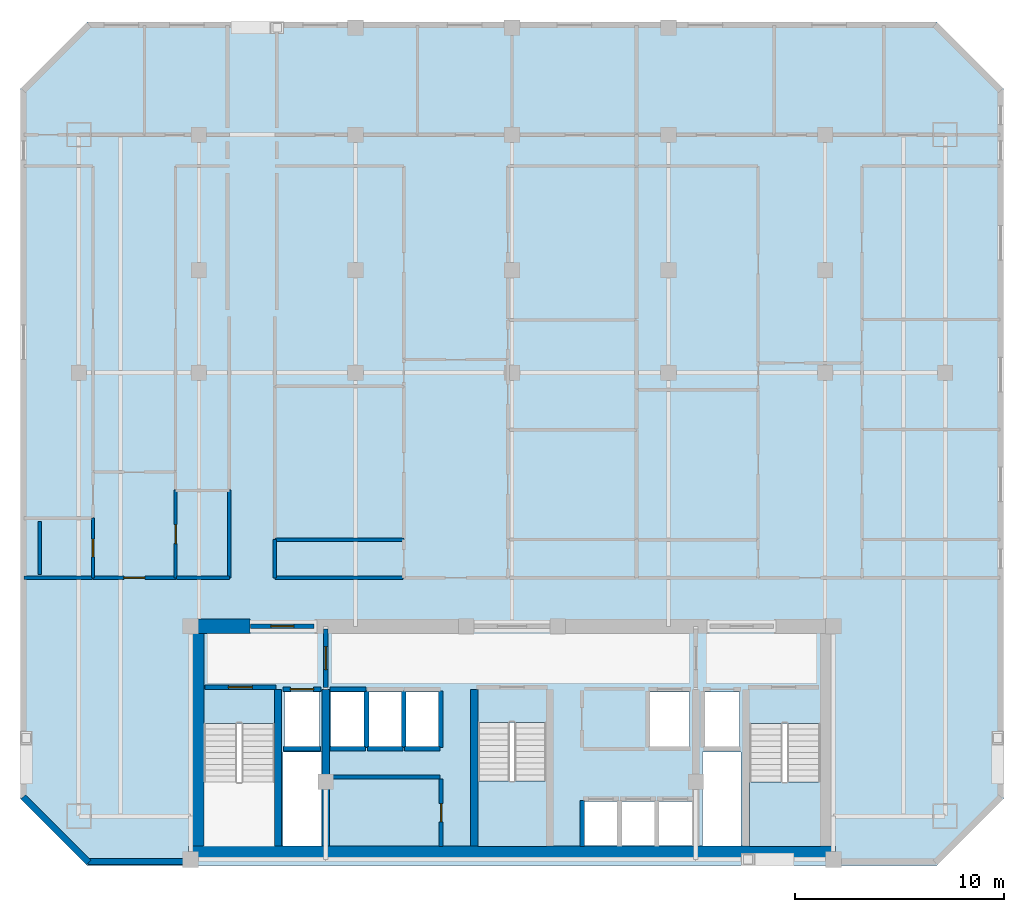
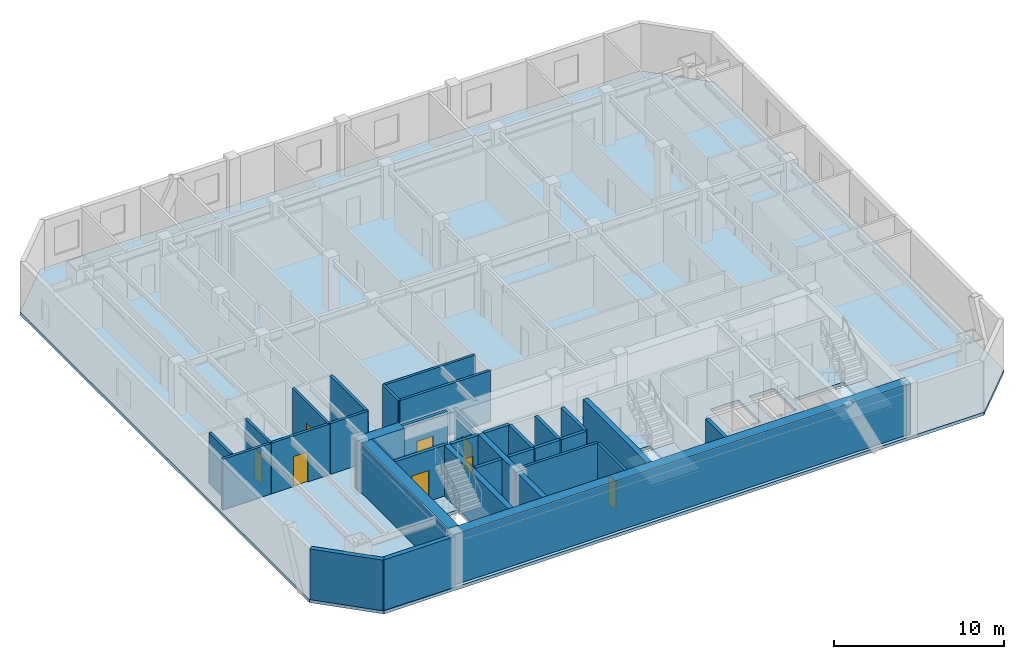
# One storey, part 2 of 8: 33 walls, 8 doors, 3 slabs, 8 openings, 2 elements without a shape of their own.
"""IFC4 building model written with IfcOpenShell, lengths in metres."""

from ifc_helpers import new_model, si_unit, direction, frame, frame_2d, origin, place, context, subcontext, project, spatial, polyline, rectangle, outline, extrude, material, layer, layer_set, type_object, element, fill, aggregate, save


model = new_model("IFC4")

# Units and contexts
model_context = context("Model", 3, precision=1e-05, world=origin(), true_north=direction((0.0, 1.0)))
body_context = subcontext(model_context, "Body", "Model", "MODEL_VIEW")
ifc_project = project(units=[si_unit("LENGTHUNIT", "METRE"), si_unit("AREAUNIT", "SQUARE_METRE"), si_unit("VOLUMEUNIT", "CUBIC_METRE"), si_unit("PLANEANGLEUNIT", "RADIAN"), si_unit("MASSUNIT", "GRAM", prefix="KILO")], contexts=[model_context])

# Site, building, storey
site_placement = place(None, origin())
site = spatial("IfcSite", under=ifc_project, at=site_placement, CompositionType="ELEMENT")
building_placement = place(site_placement, origin())
building = spatial("IfcBuilding", under=site, at=building_placement, Name="Ventersveld Concourse Tower", CompositionType="ELEMENT")
storey_placement = place(building_placement, frame((0.0, 0.0, 160.60009765625)))
storey = spatial("IfcBuildingStorey", under=building, at=storey_placement, Name="L39", CompositionType="ELEMENT", Elevation=160.60009765625)

# Slab
ifc_material_1 = material(Name="Concrete C50/60", Category="concrete")
ifc_layer_1 = layer(ifc_material_1, 0.219970703125)
ifc_layer_set_1 = layer_set([ifc_layer_1], Name="Concrete C50/60")
slab_type_1 = type_object("IfcSlabType", Name="SL-FLR-220", PredefinedType="FLOOR", material=ifc_layer_set_1)
slab_1_placement = place(storey_placement, frame((0.0, 0.0, -0.22021484375)))
element("IfcSlab", 1, at=slab_1_placement, inside=storey, type_object=slab_type_1, Name="L39 Composite Floor Slab", PredefinedType="FLOOR", context=body_context, shape_type="SweptSolid", body=[
    extrude(outline(polyline([(8.39990234375, 0.0), (49.10009765625, 0.0), (52.300048828125, 3.199951171875), (52.300048828125, 37.199951171875), (49.10009765625, 40.39990234375), (8.39990234375, 40.39990234375), (5.199951171875, 37.199951171875), (5.199951171875, 3.199951171875), (8.39990234375, 0.0)]), holes=[polyline([(13.97998046875, 6.794921875), (13.97998046875, 0.89990234375), (17.3798828125, 0.89990234375), (17.3798828125, 6.794921875), (13.97998046875, 6.794921875)]), polyline([(40.1201171875, 6.794921875), (40.1201171875, 0.89990234375), (43.52001953125, 0.89990234375), (43.52001953125, 6.794921875), (40.1201171875, 6.794921875)]), polyline([(27.10009765625, 6.844970703125), (27.10009765625, 0.89990234375), (30.39990234375, 0.89990234375), (30.39990234375, 6.844970703125), (27.10009765625, 6.844970703125)]), polyline([(17.85009765625, 5.699951171875), (19.530029296875, 5.699951171875), (19.530029296875, 8.300048828125), (17.85009765625, 8.300048828125), (17.85009765625, 5.699951171875)]), polyline([(37.969970703125, 5.699951171875), (39.64990234375, 5.699951171875), (39.64990234375, 8.300048828125), (37.969970703125, 8.300048828125), (37.969970703125, 5.699951171875)]), polyline([(35.35009765625, 5.699951171875), (37.25, 5.699951171875), (37.25, 8.300048828125), (35.35009765625, 8.300048828125), (35.35009765625, 5.699951171875)]), polyline([(32.2099609375, 0.949951171875), (33.81005859375, 0.949951171875), (33.81005859375, 3.050048828125), (32.2099609375, 3.050048828125), (32.2099609375, 0.949951171875)]), polyline([(33.989990234375, 0.949951171875), (35.590087890625, 0.949951171875), (35.590087890625, 3.050048828125), (33.989990234375, 3.050048828125), (33.989990234375, 0.949951171875)]), polyline([(35.77001953125, 0.949951171875), (37.3701171875, 0.949951171875), (37.3701171875, 3.050048828125), (35.77001953125, 3.050048828125), (35.77001953125, 0.949951171875)]), polyline([(20.090087890625, 5.699951171875), (21.68994140625, 5.699951171875), (21.68994140625, 8.300048828125), (20.090087890625, 8.300048828125), (20.090087890625, 5.699951171875)]), polyline([(21.8701171875, 5.699951171875), (23.469970703125, 5.699951171875), (23.469970703125, 8.300048828125), (21.8701171875, 8.300048828125), (21.8701171875, 5.699951171875)]), polyline([(23.64990234375, 5.699951171875), (25.25, 5.699951171875), (25.25, 8.300048828125), (23.64990234375, 8.300048828125), (23.64990234375, 5.699951171875)]), polyline([(17.780029296875, 0.919921875), (19.6201171875, 0.919921875), (19.6201171875, 5.419921875), (17.780029296875, 5.419921875), (17.780029296875, 0.919921875)]), polyline([(37.8798828125, 0.919921875), (39.719970703125, 0.919921875), (39.719970703125, 5.419921875), (37.8798828125, 5.419921875), (37.8798828125, 0.919921875)])]), origin(), (0.0, 0.0, 1.0), 0.22021484375),
])

# Stair, slab
stair_type_1 = type_object("IfcStairType", Name="ST-DOG-160", PredefinedType="HALF_TURN_STAIR", material=ifc_material_1)
stair_1_placement = place(storey_placement, origin())
stair_1 = element("IfcStair", 2, at=stair_1_placement, inside=storey, type_object=stair_type_1, Name="L39 Protected Tower Escape Stair ST-02", PredefinedType="HALF_TURN_STAIR")
ifc_layer_2 = layer(ifc_material_1, 0.199951171875)
ifc_layer_set_2 = layer_set([ifc_layer_2], Name="Concrete C50/60")
slab_type_2 = type_object("IfcSlabType", Name="SL-LND-200", PredefinedType="LANDING", material=ifc_layer_set_2)
slab_2_placement = place(storey_placement, frame((0.0, 0.0, 1.724853515625)))
slab_2 = element("IfcSlab", 3, at=slab_2_placement, type_object=slab_type_2, Name="ST-02 landing 1", PredefinedType="LANDING", context=body_context, shape_type="SweptSolid", body=[
    extrude(outline(polyline([(40.1201171875, 4.0), (40.1201171875, 0.89990234375), (43.52001953125, 0.89990234375), (43.52001953125, 4.0), (40.1201171875, 4.0)])), origin(), (0.0, 0.0, 1.0), 0.199951171875),
])
aggregate(stair_1, [slab_2])

stair_type_2 = type_object("IfcStairType", Name="ST-DOG-155", PredefinedType="HALF_TURN_STAIR", material=ifc_material_1)
stair_2_placement = place(storey_placement, origin())
stair_2 = element("IfcStair", 4, at=stair_2_placement, inside=storey, type_object=stair_type_2, Name="L39 Protected Central Core Escape Stair ST-03", PredefinedType="HALF_TURN_STAIR")
slab_3_placement = place(storey_placement, frame((0.0, 0.0, 1.724853515625)))
slab_3 = element("IfcSlab", 5, at=slab_3_placement, type_object=slab_type_2, Name="ST-03 landing 1", PredefinedType="LANDING", context=body_context, shape_type="SweptSolid", body=[
    extrude(outline(polyline([(27.10009765625, 4.050048828125), (27.10009765625, 0.89990234375), (30.39990234375, 0.89990234375), (30.39990234375, 4.050048828125), (27.10009765625, 4.050048828125)])), origin(), (0.0, 0.0, 1.0), 0.199951171875),
])
aggregate(stair_2, [slab_3])

# Walls
ifc_material_2 = material(Name="Concrete C60/75", Category="concrete")
ifc_layer_3 = layer(ifc_material_2, 0.35009765625)
ifc_layer_set_3 = layer_set([ifc_layer_3], Name="Concrete C60/75")
wall_type_1 = type_object("IfcWallType", Name="WL-CORE-350L", PredefinedType="SHEAR", material=ifc_layer_set_3)
for number, where, z_axis, x_axis, name in (
    (6, (17.5400390625, 0.919921875, 0.0), (0.0, 0.0, 1.0), (0.0, 1.0, 0.0), "L39 Core Internal Shear Web W-ST1-E"),
    (7, (19.820068359375, 0.919921875, 0.0), (0.0, 0.0, 1.0), (0.0, 1.0, 0.0), "L39 Core Internal Shear Web W-FF1-E"),
    (8, (26.93994140625, 0.919921875, 0.0), (0.0, 0.0, 1.0), (0.0, 1.0, 0.0), "L39 Core Internal Shear Web W-ST3-W"),
):
    element("IfcWall", number, at=place(storey_placement, frame(where, z_axis=z_axis, x_axis=x_axis)), inside=storey, type_object=wall_type_1, Name=name, PredefinedType="SHEAR", context=body_context, shape_type="SweptSolid", body=[
        extrude(rectangle(XDim=7.5, YDim=0.35009765625, at=frame_2d((3.75, 0.0))), origin(), (0.0, 0.0, 1.0), 3.6298828125),
    ])
ifc_layer_4 = layer(ifc_material_2, 0.699951171875)
ifc_layer_set_4 = layer_set([ifc_layer_4], Name="Concrete C60/75")
wall_type_2 = type_object("IfcWallType", Name="WL-CORE-700", PredefinedType="SHEAR", material=ifc_layer_set_4)
wall_1_placement = place(storey_placement, frame((13.25, 0.570068359375, 0.0), z_axis=(0.0, 0.0, 1.0), x_axis=(1.0, 0.0, 0.0)))
element("IfcWall", 9, at=wall_1_placement, inside=storey, type_object=wall_type_2, Name="L39 Rear Core South Shear Wall", PredefinedType="SHEAR", context=body_context, shape_type="SweptSolid", body=[
    extrude(rectangle(XDim=31.0, YDim=0.699951171875, at=frame_2d((15.5, 0.0))), origin(), (0.0, 0.0, 1.0), 3.6298828125),
])
wall_2_placement = place(storey_placement, frame((13.64990234375, 0.919921875, 0.0), z_axis=(0.0, 0.0, 1.0), x_axis=(0.0, 1.0, 0.0)))
element("IfcWall", 10, at=wall_2_placement, inside=storey, type_object=wall_type_2, Name="L39 Rear Core West Shear Wall", PredefinedType="SHEAR", context=body_context, shape_type="SweptSolid", body=[
    extrude(rectangle(XDim=10.530029296875, YDim=0.699951171875, at=frame_2d((5.26513671875, 0.0))), origin(), (0.0, 0.0, 1.0), 3.6298828125),
])
wall_3_placement = place(storey_placement, frame((13.25, 11.449951171875, 0.0), z_axis=(0.0, 0.0, 1.0), x_axis=(1.0, 0.0, 0.0)))
element("IfcWall", 11, at=wall_3_placement, inside=storey, type_object=wall_type_2, Name="L39 Rear Core North Shear Wall NW", PredefinedType="SHEAR", context=body_context, shape_type="SweptSolid", body=[
    extrude(rectangle(XDim=2.949951171875, YDim=0.699951171875, at=frame_2d((1.47509765625, 0.0))), origin(), (0.0, 0.0, 1.0), 3.6298828125),
])

# Wall, opening, door
ifc_material_3 = material(Name="Fire-rated autoclaved aerated masonry blockwork", Category="masonry")
ifc_layer_5 = layer(ifc_material_3, 0.179931640625)
ifc_layer_set_5 = layer_set([ifc_layer_5], Name="Fire-rated autoclaved aerated masonry blockwork")
wall_type_3 = type_object("IfcWallType", Name="WL-CORR-180", PredefinedType="PARTITIONING", material=ifc_layer_set_5)
wall_4_placement = place(storey_placement, frame((25.35009765625, 0.89990234375, 0.0), z_axis=(0.0, 0.0, 1.0), x_axis=(0.0, 1.0, 0.0)))
wall_4 = element("IfcWall", 12, at=wall_4_placement, inside=storey, type_object=wall_type_3, Name="L39 Core Passage Wall SP-L39-RECB1A", PredefinedType="PARTITIONING", context=body_context, shape_type="SweptSolid", body=[
    extrude(rectangle(XDim=3.239990234375, YDim=0.179931640625, at=frame_2d((1.6201171875, 0.0))), origin(), (0.0, 0.0, 1.0), 3.6298828125),
])
opening_1_placement = place(wall_4_placement, frame((1.179931640625, 0.0, 0.0)))
opening_1 = element("IfcOpeningElement", 13, at=opening_1_placement, cuts=wall_4, Name="Opening FD5", PredefinedType="OPENING", context=body_context, shape_type="SweptSolid", body=[
    extrude(rectangle(XDim=0.8798828125, YDim=2.050048828125, at=frame_2d((0.43994140625, 1.02490234375))), frame((0.0, 0.10009765625, 0.0), z_axis=(0.0, -1.0, 0.0), x_axis=(1.0, 0.0, 0.0)), (0.0, 0.0, 1.0), 0.199951171875),
])
ifc_material_4 = material(Name="Galvanised painted steel", Category="steel")
door_type_1 = type_object("IfcDoorType", Name="DR-RISER-088", OperationType="NOTDEFINED", PredefinedType="DOOR", material=ifc_material_4)
door_1_placement = place(opening_1_placement, origin())
door_1 = element("IfcDoor", 14, at=door_1_placement, inside=storey, type_object=door_type_1, Name="L39 Core Room Door L39 Reclaimed Core Quiet Study Pod (CD-L39-1905)", OperationType="SINGLE_SWING_RIGHT", OverallHeight=2.050048828125, OverallWidth=0.8798828125, PredefinedType="DOOR", context=body_context, shape_type="SweptSolid", body=[
    extrude(rectangle(XDim=0.8798828125, YDim=2.050048828125, at=frame_2d((0.43994140625, 1.02490234375))), frame((0.0, 0.02490234375, 0.0), z_axis=(0.0, -1.0, 0.0), x_axis=(1.0, 0.0, 0.0)), (0.0, 0.0, 1.0), 0.050048828125),
])
fill(opening_1, door_1)

# Wall
wall_5_placement = place(storey_placement, frame((19.97998046875, 4.22998046875, 0.0), z_axis=(0.0, 0.0, 1.0), x_axis=(1.0, 0.0, 0.0)))
element("IfcWall", 15, at=wall_5_placement, inside=storey, type_object=wall_type_3, Name="L39 Core Top Wall SP-L39-RECB1A", PredefinedType="PARTITIONING", context=body_context, shape_type="SweptSolid", body=[
    extrude(rectangle(XDim=5.320068359375, YDim=0.179931640625, at=frame_2d((2.66015625, 0.0))), origin(), (0.0, 0.0, 1.0), 3.6298828125),
])

# Wall, opening, door
wall_6_placement = place(storey_placement, frame((8.67236328125, 13.77001953125, 0.0), z_axis=(0.0, 0.0, 1.0), x_axis=(1.0, 0.0, 0.0)))
wall_6 = element("IfcWall", 16, at=wall_6_placement, inside=storey, type_object=wall_type_3, Name="L39 Interior Partition SP-L39-COR-SP-L39-39NW-FOY", PredefinedType="PARTITIONING", context=body_context, shape_type="SweptSolid", body=[
    extrude(rectangle(XDim=3.969970703125, YDim=0.179931640625, at=frame_2d((1.98486328125, 0.0))), origin(), (0.0, 0.0, 1.0), 3.6298828125),
])
opening_2_placement = place(wall_6_placement, frame((1.485107421875, 0.0, 0.0)))
opening_2 = element("IfcOpeningElement", 17, at=opening_2_placement, cuts=wall_6, Name="Opening FD3", PredefinedType="OPENING", context=body_context, shape_type="SweptSolid", body=[
    extrude(rectangle(XDim=1.0, YDim=2.14990234375, at=frame_2d((0.5, 1.074951171875))), frame((0.0, 0.10009765625, 0.0), z_axis=(0.0, -1.0, 0.0), x_axis=(1.0, 0.0, 0.0)), (0.0, 0.0, 1.0), 0.199951171875),
])
ifc_material_5 = material(Name="Solid-core hardwood veneer timber", Category="wood")
door_type_2 = type_object("IfcDoorType", Name="DR-FLAT-100", OperationType="NOTDEFINED", PredefinedType="DOOR", material=ifc_material_5)
door_2_placement = place(opening_2_placement, origin())
door_2 = element("IfcDoor", 18, at=door_2_placement, inside=storey, type_object=door_type_2, Name="L39 Interior Door SP-L39-COR to SP-L39-39NW-FOY (FD-L39-1907)", OperationType="SINGLE_SWING_LEFT", OverallHeight=2.14990234375, OverallWidth=1.0, PredefinedType="DOOR", context=body_context, shape_type="SweptSolid", body=[
    extrude(rectangle(XDim=1.0, YDim=2.14990234375, at=frame_2d((0.5, 1.074951171875))), frame((0.0, 0.02490234375, 0.0), z_axis=(0.0, -1.0, 0.0), x_axis=(1.0, 0.0, 0.0)), (0.0, 0.0, 1.0), 0.050048828125),
])
fill(opening_2, door_2)

# Walls
wall_7_placement = place(storey_placement, frame((5.37255859375, 13.77001953125, 0.0), z_axis=(0.0, 0.0, 1.0), x_axis=(1.0, 0.0, 0.0)))
element("IfcWall", 19, at=wall_7_placement, inside=storey, type_object=wall_type_3, Name="L39 Interior Partition SP-L39-COR-SP-L39-39NW-BATH", PredefinedType="PARTITIONING", context=body_context, shape_type="SweptSolid", body=[
    extrude(rectangle(XDim=3.269775390625, YDim=0.179931640625, at=frame_2d((1.634765625, 0.0))), origin(), (0.0, 0.0, 1.0), 3.6298828125),
])
wall_8_placement = place(storey_placement, frame((15.2099609375, 13.764892578125, 0.0), z_axis=(0.0, 0.0, 1.0), x_axis=(0.0, 1.0, 0.0)))
element("IfcWall", 20, at=wall_8_placement, inside=storey, type_object=wall_type_3, Name="L39 Interior Partition SP-L39-COR-SP-L39-39NW-KIT", PredefinedType="PARTITIONING", context=body_context, shape_type="SweptSolid", body=[
    extrude(rectangle(XDim=4.202392578125, YDim=0.179931640625, at=frame_2d((2.10107421875, 0.0))), origin(), (0.0, 0.0, 1.0), 3.6298828125),
])
wall_9_placement = place(storey_placement, frame((12.67236328125, 13.77001953125, 0.0), z_axis=(0.0, 0.0, 1.0), x_axis=(1.0, 0.0, 0.0)))
element("IfcWall", 21, at=wall_9_placement, inside=storey, type_object=wall_type_3, Name="L39 Interior Partition SP-L39-COR-SP-L39-39NW-KIT", PredefinedType="PARTITIONING", context=body_context, shape_type="SweptSolid", body=[
    extrude(rectangle(XDim=2.542724609375, YDim=0.179931640625, at=frame_2d((1.271484375, 0.0))), origin(), (0.0, 0.0, 1.0), 3.6298828125),
])
wall_10_placement = place(storey_placement, frame((17.385009765625, 13.77001953125, 0.0), z_axis=(0.0, 0.0, 1.0), x_axis=(1.0, 0.0, 0.0)))
element("IfcWall", 22, at=wall_10_placement, inside=storey, type_object=wall_type_3, Name="L39 Interior Partition SP-L39-COR-SP-L39-39N1-BATH", PredefinedType="PARTITIONING", context=body_context, shape_type="SweptSolid", body=[
    extrude(rectangle(XDim=6.14501953125, YDim=0.179931640625, at=frame_2d((3.072509765625, 0.0))), origin(), (0.0, 0.0, 1.0), 3.6298828125),
])
wall_11_placement = place(storey_placement, frame((17.389892578125, 13.764892578125, 0.0), z_axis=(0.0, 0.0, 1.0), x_axis=(0.0, 1.0, 0.0)))
element("IfcWall", 23, at=wall_11_placement, inside=storey, type_object=wall_type_3, Name="L39 Interior Partition SP-L39-COR-SP-L39-39N1-BATH", PredefinedType="PARTITIONING", context=body_context, shape_type="SweptSolid", body=[
    extrude(rectangle(XDim=1.840087890625, YDim=0.179931640625, at=frame_2d((0.919921875, 0.0))), origin(), (0.0, 0.0, 1.0), 3.6298828125),
])
ifc_layer_6 = layer(ifc_material_3, 0.219970703125)
ifc_layer_set_6 = layer_set([ifc_layer_6], Name="Fire-rated autoclaved aerated masonry blockwork")
wall_type_4 = type_object("IfcWallType", Name="WL-HOIST-220", PredefinedType="SOLIDWALL", material=ifc_layer_set_6)
wall_12_placement = place(storey_placement, frame((17.800048828125, 5.590087890625, 0.0), z_axis=(0.0, 0.0, 1.0), x_axis=(1.0, 0.0, 0.0)))
element("IfcWall", 24, at=wall_12_placement, inside=storey, type_object=wall_type_4, Name="L39 Lift Hoistway Back Wall FFL-01", PredefinedType="SOLIDWALL", context=body_context, shape_type="SweptSolid", body=[
    extrude(rectangle(XDim=1.780029296875, YDim=0.219970703125, at=frame_2d((0.89013671875, 0.0))), origin(), (0.0, 0.0, 1.0), 3.6298828125),
])

# Wall, opening, door
wall_13_placement = place(storey_placement, frame((17.780029296875, 8.429931640625, 0.0), z_axis=(0.0, 0.0, 1.0), x_axis=(1.0, 0.0, 0.0)))
wall_13 = element("IfcWall", 25, at=wall_13_placement, inside=storey, type_object=wall_type_4, Name="L39 Lift Hoistway Front Wall FFL-01", PredefinedType="SOLIDWALL", context=body_context, shape_type="SweptSolid", body=[
    extrude(rectangle(XDim=1.820068359375, YDim=0.219970703125, at=frame_2d((0.91015625, 0.0))), origin(), (0.0, 0.0, 1.0), 3.6298828125),
])
opening_3_placement = place(wall_13_placement, frame((0.35009765625, 0.0, 0.0)))
opening_3 = element("IfcOpeningElement", 26, at=opening_3_placement, cuts=wall_13, Name="Opening LD1", PredefinedType="OPENING", context=body_context, shape_type="SweptSolid", body=[
    extrude(rectangle(XDim=1.1201171875, YDim=2.25, at=frame_2d((0.56005859375, 1.125))), frame((0.0, 0.1201171875, 0.0), z_axis=(0.0, -1.0, 0.0), x_axis=(1.0, 0.0, 0.0)), (0.0, 0.0, 1.0), 0.239990234375),
])
ifc_material_6 = material(Name="Brushed stainless steel 316", Category="steel")
door_type_3 = type_object("IfcDoorType", Name="LD-FF-112", OperationType="SLIDING_TO_LEFT", PredefinedType="DOOR", material=ifc_material_6)
door_3_placement = place(opening_3_placement, origin())
door_3 = element("IfcDoor", 27, at=door_3_placement, inside=storey, type_object=door_type_3, Name="L39 Lift landing door FFL-01 (LD-L39-FFL-01)", OperationType="SLIDING_TO_LEFT", OverallHeight=2.25, OverallWidth=1.1201171875, PredefinedType="DOOR", context=body_context, shape_type="SweptSolid", body=[
    extrude(rectangle(XDim=1.1201171875, YDim=2.25, at=frame_2d((0.56005859375, 1.125))), frame((0.0, 0.02490234375, 0.0), z_axis=(0.0, -1.0, 0.0), x_axis=(1.0, 0.0, 0.0)), (0.0, 0.0, 1.0), 0.050048828125),
])
fill(opening_3, door_3)

# Walls
wall_14_placement = place(storey_placement, frame((32.1201171875, 0.89990234375, 0.0), z_axis=(0.0, 0.0, 1.0), x_axis=(0.0, 1.0, 0.0)))
element("IfcWall", 28, at=wall_14_placement, inside=storey, type_object=wall_type_4, Name="L39 Lift Hoistway Side Wall PM-01W", PredefinedType="SOLIDWALL", context=body_context, shape_type="SweptSolid", body=[
    extrude(rectangle(XDim=2.2001953125, YDim=0.219970703125, at=frame_2d((1.10009765625, 0.0))), origin(), (0.0, 0.0, 1.0), 3.6298828125),
])
wall_15_placement = place(storey_placement, frame((20.0400390625, 5.590087890625, 0.0), z_axis=(0.0, 0.0, 1.0), x_axis=(1.0, 0.0, 0.0)))
element("IfcWall", 29, at=wall_15_placement, inside=storey, type_object=wall_type_4, Name="L39 Lift Hoistway Back Wall PH-01", PredefinedType="SOLIDWALL", context=body_context, shape_type="SweptSolid", body=[
    extrude(rectangle(XDim=1.699951171875, YDim=0.219970703125, at=frame_2d((0.85009765625, 0.0))), origin(), (0.0, 0.0, 1.0), 3.6298828125),
])
wall_16_placement = place(storey_placement, frame((21.780029296875, 5.64990234375, 0.0), z_axis=(0.0, 0.0, 1.0), x_axis=(0.0, 1.0, 0.0)))
element("IfcWall", 30, at=wall_16_placement, inside=storey, type_object=wall_type_4, Name="L39 Lift Hoistway Side Wall PH-01E", PredefinedType="SOLIDWALL", context=body_context, shape_type="SweptSolid", body=[
    extrude(rectangle(XDim=2.7001953125, YDim=0.219970703125, at=frame_2d((1.35009765625, 0.0))), origin(), (0.0, 0.0, 1.0), 3.6298828125),
])
wall_17_placement = place(storey_placement, frame((20.02001953125, 8.429931640625, 0.0), z_axis=(0.0, 0.0, 1.0), x_axis=(1.0, 0.0, 0.0)))
element("IfcWall", 31, at=wall_17_placement, inside=storey, type_object=wall_type_4, Name="L39 Lift Hoistway Front Wall PH-01", PredefinedType="SOLIDWALL", context=body_context, shape_type="SweptSolid", body=[
    extrude(rectangle(XDim=1.739990234375, YDim=0.219970703125, at=frame_2d((0.8701171875, 0.0))), origin(), (0.0, 0.0, 1.0), 3.6298828125),
])
wall_18_placement = place(storey_placement, frame((21.820068359375, 5.590087890625, 0.0), z_axis=(0.0, 0.0, 1.0), x_axis=(1.0, 0.0, 0.0)))
element("IfcWall", 32, at=wall_18_placement, inside=storey, type_object=wall_type_4, Name="L39 Lift Hoistway Back Wall PH-02", PredefinedType="SOLIDWALL", context=body_context, shape_type="SweptSolid", body=[
    extrude(rectangle(XDim=1.699951171875, YDim=0.219970703125, at=frame_2d((0.85009765625, 0.0))), origin(), (0.0, 0.0, 1.0), 3.6298828125),
])
wall_19_placement = place(storey_placement, frame((23.56005859375, 5.64990234375, 0.0), z_axis=(0.0, 0.0, 1.0), x_axis=(0.0, 1.0, 0.0)))
element("IfcWall", 33, at=wall_19_placement, inside=storey, type_object=wall_type_4, Name="L39 Lift Hoistway Side Wall PH-02E", PredefinedType="SOLIDWALL", context=body_context, shape_type="SweptSolid", body=[
    extrude(rectangle(XDim=2.7001953125, YDim=0.219970703125, at=frame_2d((1.35009765625, 0.0))), origin(), (0.0, 0.0, 1.0), 3.6298828125),
])
wall_20_placement = place(storey_placement, frame((23.60009765625, 5.590087890625, 0.0), z_axis=(0.0, 0.0, 1.0), x_axis=(1.0, 0.0, 0.0)))
element("IfcWall", 34, at=wall_20_placement, inside=storey, type_object=wall_type_4, Name="L39 Lift Hoistway Back Wall PH-03", PredefinedType="SOLIDWALL", context=body_context, shape_type="SweptSolid", body=[
    extrude(rectangle(XDim=1.699951171875, YDim=0.219970703125, at=frame_2d((0.85009765625, 0.0))), origin(), (0.0, 0.0, 1.0), 3.6298828125),
])
wall_21_placement = place(storey_placement, frame((25.340087890625, 5.64990234375, 0.0), z_axis=(0.0, 0.0, 1.0), x_axis=(0.0, 1.0, 0.0)))
element("IfcWall", 35, at=wall_21_placement, inside=storey, type_object=wall_type_4, Name="L39 Lift Hoistway Side Wall PH-03E", PredefinedType="SOLIDWALL", context=body_context, shape_type="SweptSolid", body=[
    extrude(rectangle(XDim=2.7001953125, YDim=0.219970703125, at=frame_2d((1.35009765625, 0.0))), origin(), (0.0, 0.0, 1.0), 3.6298828125),
])

# Wall, opening, door
wall_22_placement = place(storey_placement, frame((14.0400390625, 8.52001953125, 0.0), z_axis=(0.0, 0.0, 1.0), x_axis=(1.0, 0.0, 0.0)))
wall_22 = element("IfcWall", 36, at=wall_22_placement, inside=storey, type_object=wall_type_4, Name="L39 Escape Stair ST01 Fire Wall", PredefinedType="SOLIDWALL", context=body_context, shape_type="SweptSolid", body=[
    extrude(rectangle(XDim=3.39990234375, YDim=0.219970703125, at=frame_2d((1.699951171875, 0.0))), origin(), (0.0, 0.0, 1.0), 3.6298828125),
])
opening_4_placement = place(wall_22_placement, frame((1.125, 0.0, 0.0)))
opening_4 = element("IfcOpeningElement", 37, at=opening_4_placement, cuts=wall_22, Name="Opening FD1", PredefinedType="OPENING", context=body_context, shape_type="SweptSolid", body=[
    extrude(rectangle(XDim=1.14990234375, YDim=2.199951171875, at=frame_2d((0.574951171875, 1.10009765625))), frame((0.0, 0.1201171875, 0.0), z_axis=(0.0, -1.0, 0.0), x_axis=(1.0, 0.0, 0.0)), (0.0, 0.0, 1.0), 0.239990234375),
])
door_type_4 = type_object("IfcDoorType", Name="DR-STAIR-115", OperationType="NOTDEFINED", PredefinedType="DOOR", material=ifc_material_4)
door_4_placement = place(opening_4_placement, origin())
door_4 = element("IfcDoor", 38, at=door_4_placement, inside=storey, type_object=door_type_4, Name="L39 Escape Stair Door ST01 (SD-L39-1897)", OperationType="SINGLE_SWING_LEFT", OverallHeight=2.199951171875, OverallWidth=1.14990234375, PredefinedType="DOOR", context=body_context, shape_type="SweptSolid", body=[
    extrude(rectangle(XDim=1.14990234375, YDim=2.199951171875, at=frame_2d((0.574951171875, 1.10009765625))), frame((0.0, 0.02490234375, 0.0), z_axis=(0.0, -1.0, 0.0), x_axis=(1.0, 0.0, 0.0)), (0.0, 0.0, 1.0), 0.050048828125),
])
fill(opening_4, door_4)

wall_23_placement = place(storey_placement, frame((19.820068359375, 8.52001953125, 0.0), z_axis=(0.0, 0.0, 1.0), x_axis=(0.0, 1.0, 0.0)))
wall_23 = element("IfcWall", 39, at=wall_23_placement, inside=storey, type_object=wall_type_4, Name="L39 Firefighting Lobby Smoke-Stop Wall FFLW-SEP", PredefinedType="SOLIDWALL", context=body_context, shape_type="SweptSolid", body=[
    extrude(rectangle(XDim=2.800048828125, YDim=0.219970703125, at=frame_2d((1.39990234375, 0.0))), origin(), (0.0, 0.0, 1.0), 3.08544921875),
])
opening_5_placement = place(wall_23_placement, frame((0.85009765625, 0.0, 0.0)))
opening_5 = element("IfcOpeningElement", 40, at=opening_5_placement, cuts=wall_23, Name="Opening FD2", PredefinedType="OPENING", context=body_context, shape_type="SweptSolid", body=[
    extrude(rectangle(XDim=1.10009765625, YDim=2.199951171875, at=frame_2d((0.550048828125, 1.10009765625))), frame((0.0, 0.1201171875, 0.0), z_axis=(0.0, -1.0, 0.0), x_axis=(1.0, 0.0, 0.0)), (0.0, 0.0, 1.0), 0.239990234375),
])
door_type_5 = type_object("IfcDoorType", Name="DR-FFL-110", OperationType="NOTDEFINED", PredefinedType="DOOR", material=ifc_material_4)
door_5_placement = place(opening_5_placement, origin())
door_5 = element("IfcDoor", 41, at=door_5_placement, inside=storey, type_object=door_type_5, Name="L39 Firefighting Lobby Door FFLW-SEP (FD-L39-1900)", OperationType="SINGLE_SWING_LEFT", OverallHeight=2.199951171875, OverallWidth=1.10009765625, PredefinedType="DOOR", context=body_context, shape_type="SweptSolid", body=[
    extrude(rectangle(XDim=1.10009765625, YDim=2.199951171875, at=frame_2d((0.550048828125, 1.10009765625))), frame((0.0, 0.02490234375, 0.0), z_axis=(0.0, -1.0, 0.0), x_axis=(1.0, 0.0, 0.0)), (0.0, 0.0, 1.0), 0.050048828125),
])
fill(opening_5, door_5)

wall_24_placement = place(storey_placement, frame((16.22998046875, 11.449951171875, 0.0), z_axis=(0.0, 0.0, 1.0), x_axis=(1.0, 0.0, 0.0)))
wall_24 = element("IfcWall", 42, at=wall_24_placement, inside=storey, type_object=wall_type_4, Name="L39 Core North Fire Portal FFLW-OUT", PredefinedType="SOLIDWALL", context=body_context, shape_type="SweptSolid", body=[
    extrude(rectangle(XDim=3.0400390625, YDim=0.219970703125, at=frame_2d((1.52001953125, 0.0))), origin(), (0.0, 0.0, 1.0), 3.6298828125),
])
opening_6_placement = place(wall_24_placement, frame((0.969970703125, 0.0, 0.0)))
opening_6 = element("IfcOpeningElement", 43, at=opening_6_placement, cuts=wall_24, Name="Opening FD2", PredefinedType="OPENING", context=body_context, shape_type="SweptSolid", body=[
    extrude(rectangle(XDim=1.10009765625, YDim=2.199951171875, at=frame_2d((0.550048828125, 1.10009765625))), frame((0.0, 0.1201171875, 0.0), z_axis=(0.0, -1.0, 0.0), x_axis=(1.0, 0.0, 0.0)), (0.0, 0.0, 1.0), 0.239990234375),
])
door_6_placement = place(opening_6_placement, origin())
door_6 = element("IfcDoor", 44, at=door_6_placement, inside=storey, type_object=door_type_5, Name="L39 Core Lobby Fire Door FFLW-OUT (FD-L39-1902)", OperationType="SINGLE_SWING_RIGHT", OverallHeight=2.199951171875, OverallWidth=1.10009765625, PredefinedType="DOOR", context=body_context, shape_type="SweptSolid", body=[
    extrude(rectangle(XDim=1.10009765625, YDim=2.199951171875, at=frame_2d((0.550048828125, 1.10009765625))), frame((0.0, 0.02490234375, 0.0), z_axis=(0.0, -1.0, 0.0), x_axis=(1.0, 0.0, 0.0)), (0.0, 0.0, 1.0), 0.050048828125),
])
fill(opening_6, door_6)

ifc_material_7 = material(Name="Autoclaved aerated masonry blockwork", Category="masonry")
ifc_layer_7 = layer(ifc_material_7, 0.14990234375)
ifc_layer_set_7 = layer_set([ifc_layer_7], Name="Autoclaved aerated masonry blockwork")
wall_type_5 = type_object("IfcWallType", Name="WL-INT-150", PredefinedType="PARTITIONING", material=ifc_layer_set_7)
wall_25_placement = place(storey_placement, frame((12.637451171875, 13.764892578125, 0.0), z_axis=(0.0, 0.0, 1.0), x_axis=(0.0, 1.0, 0.0)))
wall_25 = element("IfcWall", 45, at=wall_25_placement, inside=storey, type_object=wall_type_5, Name="L39 Interior Partition SP-L39-39NW-FOY-SP-L39-39NW-KIT", PredefinedType="PARTITIONING", context=body_context, shape_type="SweptSolid", body=[
    extrude(rectangle(XDim=4.202392578125, YDim=0.14990234375, at=frame_2d((2.10107421875, 0.0))), origin(), (0.0, 0.0, 1.0), 3.6298828125),
])
opening_7_placement = place(wall_25_placement, frame((1.64111328125, 0.0, 0.0)))
opening_7 = element("IfcOpeningElement", 46, at=opening_7_placement, cuts=wall_25, Name="Opening ID1", PredefinedType="OPENING", context=body_context, shape_type="SweptSolid", body=[
    extrude(rectangle(XDim=0.919921875, YDim=2.10009765625, at=frame_2d((0.4599609375, 1.050048828125))), frame((0.0, 0.0849609375, 0.0), z_axis=(0.0, -1.0, 0.0), x_axis=(1.0, 0.0, 0.0)), (0.0, 0.0, 1.0), 0.169921875),
])
door_type_6 = type_object("IfcDoorType", Name="DR-ROOM-092", OperationType="NOTDEFINED", PredefinedType="DOOR", material=ifc_material_5)
door_7_placement = place(opening_7_placement, origin())
door_7 = element("IfcDoor", 47, at=door_7_placement, inside=storey, type_object=door_type_6, Name="L39 Interior Door SP-L39-39NW-FOY to SP-L39-39NW-KIT (D-L39-1913)", OperationType="SINGLE_SWING_LEFT", OverallHeight=2.10009765625, OverallWidth=0.919921875, PredefinedType="DOOR", context=body_context, shape_type="SweptSolid", body=[
    extrude(rectangle(XDim=0.919921875, YDim=2.10009765625, at=frame_2d((0.4599609375, 1.050048828125))), frame((0.0, 0.02490234375, 0.0), z_axis=(0.0, -1.0, 0.0), x_axis=(1.0, 0.0, 0.0)), (0.0, 0.0, 1.0), 0.050048828125),
])
fill(opening_7, door_7)

# Walls
ifc_material_8 = material(Name="Precast concrete C45/55", Category="concrete")
ifc_layer_8 = layer(ifc_material_8, 0.300048828125)
ifc_layer_set_8 = layer_set([ifc_layer_8], Name="Precast concrete C45/55")
wall_type_6 = type_object("IfcWallType", Name="WL-PREC-300", PredefinedType="SOLIDWALL", material=ifc_layer_set_8)
wall_26_placement = place(storey_placement, frame((8.43994140625, 0.179931640625, 0.0), z_axis=(0.0, 0.0, 1.0), x_axis=(1.0, 0.0, 0.0)))
element("IfcWall", 48, at=wall_26_placement, inside=storey, type_object=wall_type_6, Name="L39 South-West Flank Precast Wall", PredefinedType="SOLIDWALL", context=body_context, shape_type="SweptSolid", body=[
    extrude(rectangle(XDim=4.81005859375, YDim=0.300048828125, at=frame_2d((2.405029296875, 0.0))), origin(), (0.0, 0.0, 1.0), 3.6298828125),
])
wall_27_placement = place(storey_placement, frame((5.33447265625, 3.27783203125, 0.0), z_axis=(0.0, 0.0, 1.0), x_axis=(0.707106781187, -0.707106781187, 0.0)))
element("IfcWall", 49, at=wall_27_placement, inside=storey, type_object=wall_type_6, Name="L39 Highveld Precast Facade Wall E08", PredefinedType="SOLIDWALL", context=body_context, shape_type="SweptSolid", body=[
    extrude(rectangle(XDim=4.4453125, YDim=0.300048828125, at=frame_2d((2.22265625, 0.0))), origin(), (0.0, 0.0, 1.0), 3.6298828125),
])

# Wall, opening, door
ifc_layer_9 = layer(ifc_material_7, 0.1650390625)
ifc_layer_set_9 = layer_set([ifc_layer_9], Name="Autoclaved aerated masonry blockwork")
wall_type_7 = type_object("IfcWallType", Name="WL-WET-165", PredefinedType="PLUMBINGWALL", material=ifc_layer_set_9)
wall_28_placement = place(storey_placement, frame((8.677490234375, 13.764892578125, 0.0), z_axis=(0.0, 0.0, 1.0), x_axis=(0.0, 1.0, 0.0)))
wall_28 = element("IfcWall", 50, at=wall_28_placement, inside=storey, type_object=wall_type_7, Name="L39 Interior Partition SP-L39-39NW-FOY-SP-L39-39NW-BATH", PredefinedType="PLUMBINGWALL", context=body_context, shape_type="SweptSolid", body=[
    extrude(rectangle(XDim=2.864990234375, YDim=0.1650390625, at=frame_2d((1.4326171875, 0.0))), origin(), (0.0, 0.0, 1.0), 3.6298828125),
])
opening_8_placement = place(wall_28_placement, frame((1.00732421875, 0.0, 0.0)))
opening_8 = element("IfcOpeningElement", 51, at=opening_8_placement, cuts=wall_28, Name="Opening ID2", PredefinedType="OPENING", context=body_context, shape_type="SweptSolid", body=[
    extrude(rectangle(XDim=0.85009765625, YDim=2.10009765625, at=frame_2d((0.425048828125, 1.050048828125))), frame((0.0, 0.092529296875, 0.0), z_axis=(0.0, -1.0, 0.0), x_axis=(1.0, 0.0, 0.0)), (0.0, 0.0, 1.0), 0.18505859375),
])
door_type_7 = type_object("IfcDoorType", Name="DR-BATH-085", OperationType="NOTDEFINED", PredefinedType="DOOR", material=ifc_material_5)
door_8_placement = place(opening_8_placement, origin())
door_8 = element("IfcDoor", 52, at=door_8_placement, inside=storey, type_object=door_type_7, Name="L39 Interior Door SP-L39-39NW-FOY to SP-L39-39NW-BATH (D-L39-1911)", OperationType="SINGLE_SWING_LEFT", OverallHeight=2.10009765625, OverallWidth=0.85009765625, PredefinedType="DOOR", context=body_context, shape_type="SweptSolid", body=[
    extrude(rectangle(XDim=0.85009765625, YDim=2.10009765625, at=frame_2d((0.425048828125, 1.050048828125))), frame((0.0, 0.02490234375, 0.0), z_axis=(0.0, -1.0, 0.0), x_axis=(1.0, 0.0, 0.0)), (0.0, 0.0, 1.0), 0.050048828125),
])
fill(opening_8, door_8)

# Walls
wall_29_placement = place(storey_placement, frame((17.385009765625, 15.60009765625, 0.0), z_axis=(0.0, 0.0, 1.0), x_axis=(1.0, 0.0, 0.0)))
element("IfcWall", 53, at=wall_29_placement, inside=storey, type_object=wall_type_7, Name="L39 Interior Partition SP-L39-39N1-BATH-SP-L39-39N1-OFFL0", PredefinedType="PLUMBINGWALL", context=body_context, shape_type="SweptSolid", body=[
    extrude(rectangle(XDim=6.18505859375, YDim=0.1650390625, at=frame_2d((3.092529296875, 0.0))), origin(), (0.0, 0.0, 1.0), 3.6298828125),
])
wall_30_placement = place(storey_placement, frame((6.1201171875, 13.93505859375, 0.0), z_axis=(0.0, 0.0, 1.0), x_axis=(0.0, 1.0, 0.0)))
element("IfcWall", 54, at=wall_30_placement, inside=storey, type_object=wall_type_7, Name="L39 Room Enclosure Wall SP-L39-39NW-BATH", PredefinedType="PLUMBINGWALL", context=body_context, shape_type="SweptSolid", body=[
    extrude(rectangle(XDim=2.52490234375, YDim=0.1650390625, at=frame_2d((1.262451171875, 0.0))), origin(), (0.0, 0.0, 1.0), 3.6298828125),
])

save(model, "model.ifc")
